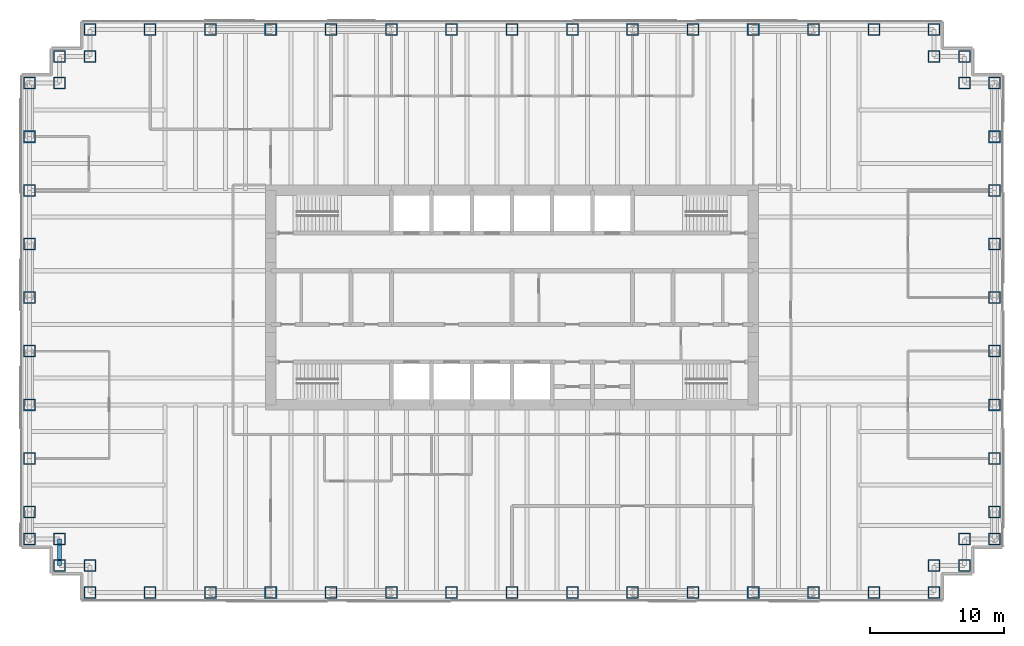
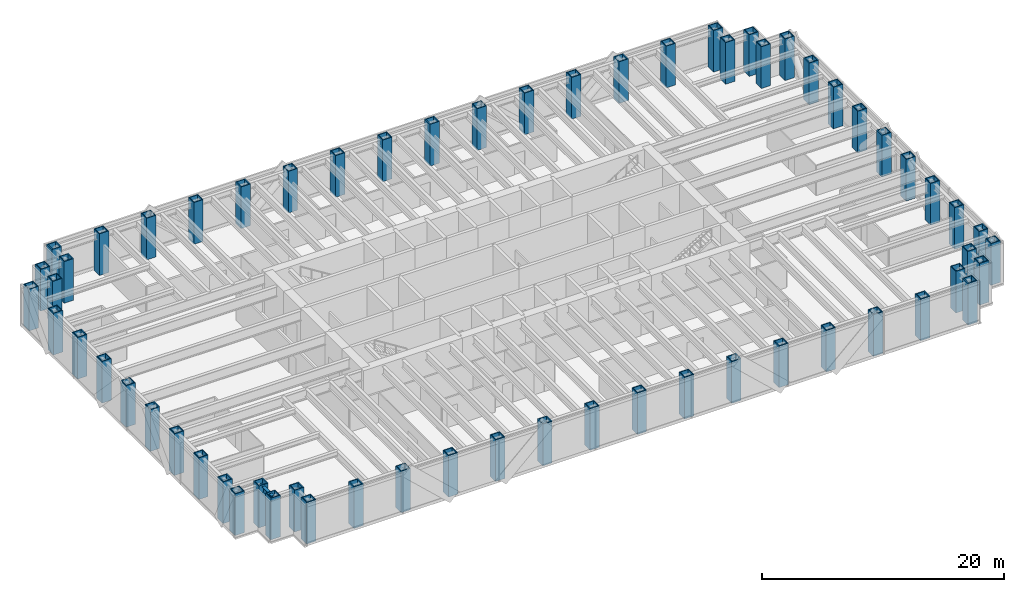
# One storey, part 1 of 14: 62 columns, 1 beam.
"""IFC4 building model written with IfcOpenShell, lengths in metres."""

from ifc_helpers import new_model, si_unit, direction, frame, origin, origin_2d, place, context, subcontext, project, spatial, hollow_rectangle, i_section, extrude, material, material_profile, profile_set, type_object, element, save


model = new_model("IFC4")

# Units and contexts
model_context = context("Model", 3, precision=1e-05, world=origin(), true_north=direction((0.0, 1.0)))
body_context = subcontext(model_context, "Body", "Model", "MODEL_VIEW")
ifc_project = project(units=[si_unit("LENGTHUNIT", "METRE"), si_unit("AREAUNIT", "SQUARE_METRE"), si_unit("VOLUMEUNIT", "CUBIC_METRE"), si_unit("PLANEANGLEUNIT", "RADIAN"), si_unit("MASSUNIT", "GRAM", prefix="KILO")], contexts=[model_context])

# Site, building, storey
site_placement = place(None, origin())
site = spatial("IfcSite", under=ifc_project, at=site_placement, CompositionType="ELEMENT")
building_placement = place(site_placement, origin())
building = spatial("IfcBuilding", under=site, at=building_placement, Name="Rheinbord Bourse Tower", CompositionType="ELEMENT")
storey_placement = place(building_placement, frame((0.0, 0.0, 232.0)))
storey = spatial("IfcBuildingStorey", under=building, at=storey_placement, Name="L52", CompositionType="ELEMENT", Elevation=232.0)

# Columns
ifc_material_1 = material(Name="Steel S460M", Category="steel")
ifc_material_profile_1 = material_profile(ifc_material_1, hollow_rectangle(XDim=0.89990234375, YDim=0.89990234375, WallThickness=0.080078125, at=origin_2d()), Name="BOX 900x900x80")
ifc_profile_set_1 = profile_set([ifc_material_profile_1], Name="Steel S460M")
column_type = type_object("IfcColumnType", Name="TUBE COLUMN BOX 900x900x80", PredefinedType="COLUMN", material=ifc_profile_set_1)
for number, where, z_axis, x_axis, name in (
    (1, (4.5, 2.0, 0.0), (0.0, 0.0, 1.0), (0.0, 1.0, 0.0), "Column SW-E L52"),
    (2, (9.0, 2.0, 0.0), (0.0, 0.0, 1.0), (0.0, 1.0, 0.0), "Column S-9 L52"),
    (3, (13.5, 2.0, 0.0), (0.0, 0.0, 1.0), (0.0, 1.0, 0.0), "Column S-13.5 L52"),
    (4, (18.0, 2.0, 0.0), (0.0, 0.0, 1.0), (0.0, 1.0, 0.0), "Column S-18 L52"),
    (5, (22.5, 2.0, 0.0), (0.0, 0.0, 1.0), (0.0, 1.0, 0.0), "Column S-22.5 L52"),
    (6, (27.0, 2.0, 0.0), (0.0, 0.0, 1.0), (0.0, 1.0, 0.0), "Column S-27 L52"),
    (7, (31.5, 2.0, 0.0), (0.0, 0.0, 1.0), (0.0, 1.0, 0.0), "Column S-31.5 L52"),
    (8, (36.0, 2.0, 0.0), (0.0, 0.0, 1.0), (0.0, 1.0, 0.0), "Column S-36 L52"),
    (9, (40.5, 2.0, 0.0), (0.0, 0.0, 1.0), (0.0, 1.0, 0.0), "Column S-40.5 L52"),
    (10, (45.0, 2.0, 0.0), (0.0, 0.0, 1.0), (0.0, 1.0, 0.0), "Column S-45 L52"),
    (11, (49.5, 2.0, 0.0), (0.0, 0.0, 1.0), (0.0, 1.0, 0.0), "Column S-49.5 L52"),
    (12, (54.0, 2.0, 0.0), (0.0, 0.0, 1.0), (0.0, 1.0, 0.0), "Column S-54 L52"),
    (13, (58.5, 2.0, 0.0), (0.0, 0.0, 1.0), (0.0, 1.0, 0.0), "Column S-58.5 L52"),
    (14, (63.0, 2.0, 0.0), (0.0, 0.0, 1.0), (0.0, 1.0, 0.0), "Column S-63 L52"),
    (15, (67.5, 2.0, 0.0), (0.0, 0.0, 1.0), (0.0, 1.0, 0.0), "Column SE-E L52"),
    (16, (67.5, 4.0, 0.0), (0.0, 0.0, 1.0), (0.0, 1.0, 0.0), "Column SE-D L52"),
    (17, (69.75, 4.0, 0.0), (0.0, 0.0, 1.0), (1.0, 0.0, 0.0), "Column SE-C L52"),
    (18, (69.75, 6.0, 0.0), (0.0, 0.0, 1.0), (1.0, 0.0, 0.0), "Column SE-B L52"),
    (19, (72.0, 6.0, 0.0), (0.0, 0.0, 1.0), (1.0, 0.0, 0.0), "Column SE-A L52"),
    (20, (72.0, 8.0, 0.0), (0.0, 0.0, 1.0), (1.0, 0.0, 0.0), "Column E-8 L52"),
    (21, (72.0, 12.0, 0.0), (0.0, 0.0, 1.0), (1.0, 0.0, 0.0), "Column E-12 L52"),
    (22, (72.0, 16.0, 0.0), (0.0, 0.0, 1.0), (1.0, 0.0, 0.0), "Column E-16 L52"),
    (23, (72.0, 20.0, 0.0), (0.0, 0.0, 1.0), (1.0, 0.0, 0.0), "Column E-20 L52"),
    (24, (72.0, 24.0, 0.0), (0.0, 0.0, 1.0), (1.0, 0.0, 0.0), "Column E-24 L52"),
    (25, (72.0, 28.0, 0.0), (0.0, 0.0, 1.0), (1.0, 0.0, 0.0), "Column E-28 L52"),
    (26, (72.0, 32.0, 0.0), (0.0, 0.0, 1.0), (1.0, 0.0, 0.0), "Column E-32 L52"),
    (27, (72.0, 36.0, 0.0), (0.0, 0.0, 1.0), (1.0, 0.0, 0.0), "Column E-36 L52"),
    (28, (72.0, 40.0, 0.0), (0.0, 0.0, 1.0), (1.0, 0.0, 0.0), "Column NE-A L52"),
    (29, (69.75, 40.0, 0.0), (0.0, 0.0, 1.0), (1.0, 0.0, 0.0), "Column NE-B L52"),
    (30, (69.75, 42.0, 0.0), (0.0, 0.0, 1.0), (1.0, 0.0, 0.0), "Column NE-C L52"),
    (31, (67.5, 42.0, 0.0), (0.0, 0.0, 1.0), (0.0, 1.0, 0.0), "Column NE-D L52"),
    (32, (67.5, 44.0, 0.0), (0.0, 0.0, 1.0), (0.0, 1.0, 0.0), "Column NE-E L52"),
    (33, (63.0, 44.0, 0.0), (0.0, 0.0, 1.0), (0.0, 1.0, 0.0), "Column N-63 L52"),
    (34, (58.5, 44.0, 0.0), (0.0, 0.0, 1.0), (0.0, 1.0, 0.0), "Column N-58.5 L52"),
    (35, (54.0, 44.0, 0.0), (0.0, 0.0, 1.0), (0.0, 1.0, 0.0), "Column N-54 L52"),
    (36, (49.5, 44.0, 0.0), (0.0, 0.0, 1.0), (0.0, 1.0, 0.0), "Column N-49.5 L52"),
    (37, (45.0, 44.0, 0.0), (0.0, 0.0, 1.0), (0.0, 1.0, 0.0), "Column N-45 L52"),
    (38, (40.5, 44.0, 0.0), (0.0, 0.0, 1.0), (0.0, 1.0, 0.0), "Column N-40.5 L52"),
    (39, (36.0, 44.0, 0.0), (0.0, 0.0, 1.0), (0.0, 1.0, 0.0), "Column N-36 L52"),
    (40, (31.5, 44.0, 0.0), (0.0, 0.0, 1.0), (0.0, 1.0, 0.0), "Column N-31.5 L52"),
    (41, (27.0, 44.0, 0.0), (0.0, 0.0, 1.0), (0.0, 1.0, 0.0), "Column N-27 L52"),
    (42, (22.5, 44.0, 0.0), (0.0, 0.0, 1.0), (0.0, 1.0, 0.0), "Column N-22.5 L52"),
    (43, (18.0, 44.0, 0.0), (0.0, 0.0, 1.0), (0.0, 1.0, 0.0), "Column N-18 L52"),
    (44, (13.5, 44.0, 0.0), (0.0, 0.0, 1.0), (0.0, 1.0, 0.0), "Column N-13.5 L52"),
    (45, (9.0, 44.0, 0.0), (0.0, 0.0, 1.0), (0.0, 1.0, 0.0), "Column N-9 L52"),
    (46, (4.5, 44.0, 0.0), (0.0, 0.0, 1.0), (0.0, 1.0, 0.0), "Column NW-E L52"),
    (47, (4.5, 42.0, 0.0), (0.0, 0.0, 1.0), (0.0, 1.0, 0.0), "Column NW-D L52"),
    (48, (2.25, 42.0, 0.0), (0.0, 0.0, 1.0), (1.0, 0.0, 0.0), "Column NW-C L52"),
    (49, (2.25, 40.0, 0.0), (0.0, 0.0, 1.0), (1.0, 0.0, 0.0), "Column NW-B L52"),
    (50, (0.0, 40.0, 0.0), (0.0, 0.0, 1.0), (1.0, 0.0, 0.0), "Column NW-A L52"),
    (51, (0.0, 36.0, 0.0), (0.0, 0.0, 1.0), (1.0, 0.0, 0.0), "Column W-36 L52"),
    (52, (0.0, 32.0, 0.0), (0.0, 0.0, 1.0), (1.0, 0.0, 0.0), "Column W-32 L52"),
    (53, (0.0, 28.0, 0.0), (0.0, 0.0, 1.0), (1.0, 0.0, 0.0), "Column W-28 L52"),
    (54, (0.0, 24.0, 0.0), (0.0, 0.0, 1.0), (1.0, 0.0, 0.0), "Column W-24 L52"),
    (55, (0.0, 20.0, 0.0), (0.0, 0.0, 1.0), (1.0, 0.0, 0.0), "Column W-20 L52"),
    (56, (0.0, 16.0, 0.0), (0.0, 0.0, 1.0), (1.0, 0.0, 0.0), "Column W-16 L52"),
    (57, (0.0, 12.0, 0.0), (0.0, 0.0, 1.0), (1.0, 0.0, 0.0), "Column W-12 L52"),
    (58, (0.0, 8.0, 0.0), (0.0, 0.0, 1.0), (1.0, 0.0, 0.0), "Column W-8 L52"),
    (59, (0.0, 6.0, 0.0), (0.0, 0.0, 1.0), (1.0, 0.0, 0.0), "Column SW-A L52"),
    (60, (2.25, 6.0, 0.0), (0.0, 0.0, 1.0), (1.0, 0.0, 0.0), "Column SW-B L52"),
    (61, (2.25, 4.0, 0.0), (0.0, 0.0, 1.0), (1.0, 0.0, 0.0), "Column SW-C L52"),
    (62, (4.5, 4.0, 0.0), (0.0, 0.0, 1.0), (0.0, 1.0, 0.0), "Column SW-D L52"),
):
    element("IfcColumn", number, at=place(storey_placement, frame(where, z_axis=z_axis, x_axis=x_axis)), inside=storey, type_object=column_type, Name=name, PredefinedType="COLUMN", context=body_context, shape_type="SweptSolid", body=[
        extrude(hollow_rectangle(XDim=0.89990234375, YDim=0.89990234375, WallThickness=0.080078125, at=origin_2d()), origin(), (0.0, 0.0, 1.0), 4.199951171875),
    ])

# Beam
ifc_material_2 = material(Name="Steel S460", Category="steel")
ifc_material_profile_2 = material_profile(ifc_material_2, i_section(OverallWidth=0.300048828125, OverallDepth=0.60009765625, WebThickness=0.015380859375, FlangeThickness=0.030029296875, at=origin_2d()), Name="HEB 600")
ifc_profile_set_2 = profile_set([ifc_material_profile_2], Name="Steel S460")
beam_type = type_object("IfcBeamType", Name="SPANDREL HEB 600", PredefinedType="SPANDREL", material=ifc_profile_set_2)
beam_placement = place(storey_placement, frame((2.25, 6.0, 3.739990234375), z_axis=(0.0, -1.0, 0.0), x_axis=(1.0, 0.0, 0.0)))
element("IfcBeam", 63, at=beam_placement, inside=storey, type_object=beam_type, Name="Spandrel SW-B-SW-C under L53", PredefinedType="SPANDREL", context=body_context, shape_type="SweptSolid", body=[
    extrude(i_section(OverallWidth=0.300048828125, OverallDepth=0.60009765625, WebThickness=0.015380859375, FlangeThickness=0.030029296875, at=origin_2d()), origin(), (0.0, 0.0, 1.0), 2.0),
])

save(model, "model.ifc")
